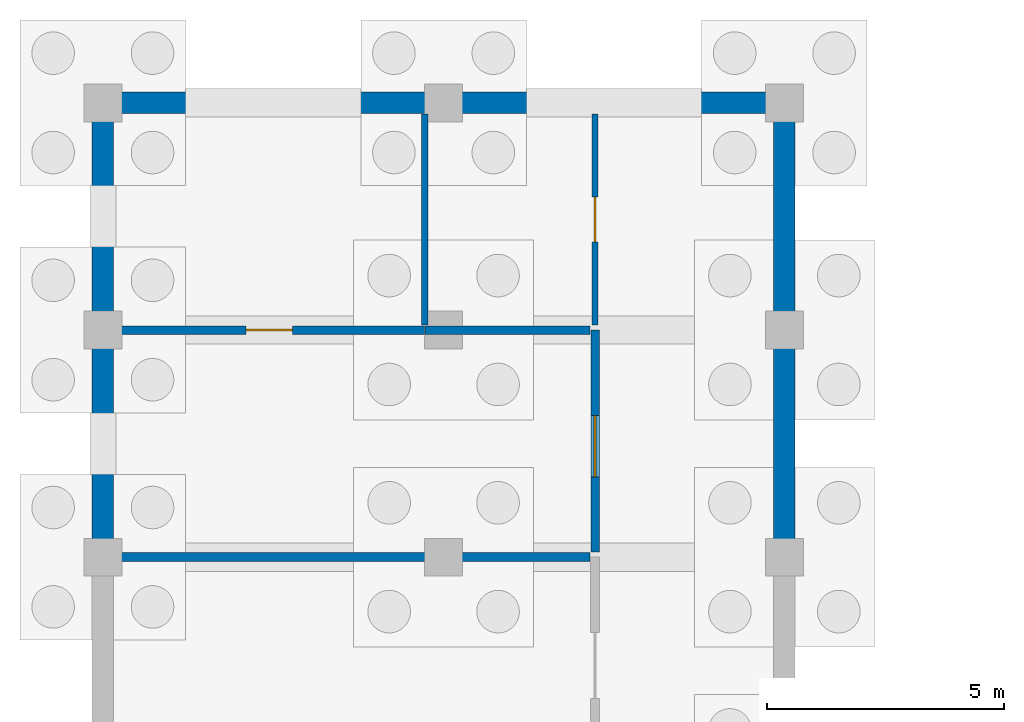
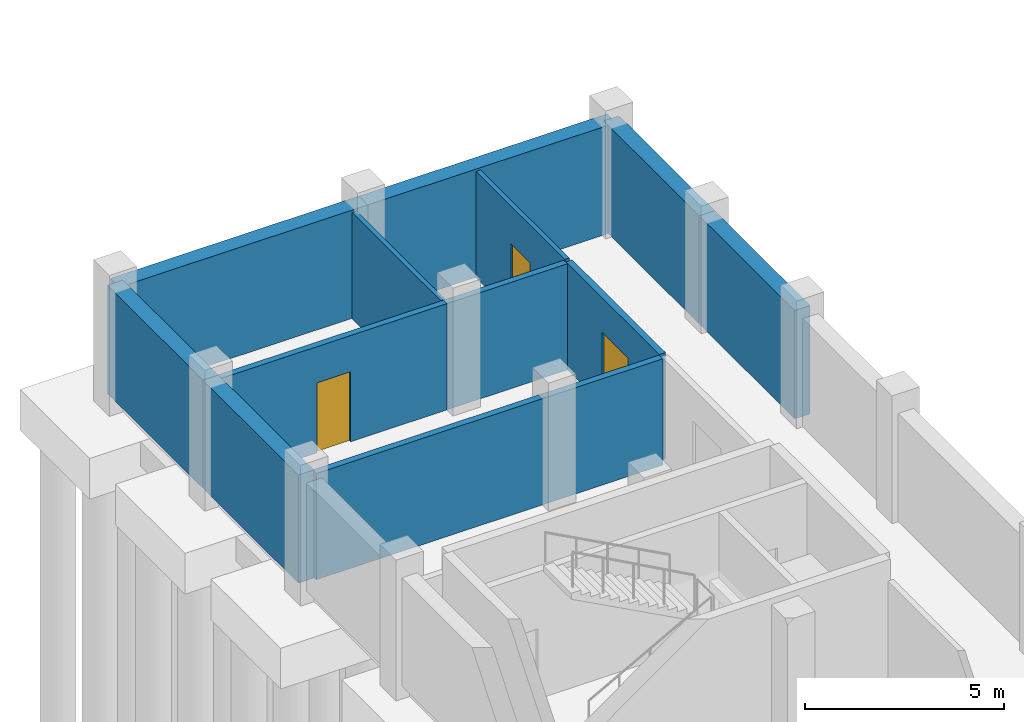
# One storey, part 6 of 10: 12 walls, 3 doors, 3 openings.
"""IFC4 building model written with IfcOpenShell, lengths in metres."""

from ifc_helpers import new_model, si_unit, direction, frame, frame_2d, origin, place, context, subcontext, project, spatial, rectangle, extrude, material, layer, layer_set, type_object, element, fill, save


model = new_model("IFC4")

# Units and contexts
model_context = context("Model", 3, precision=1e-05, world=origin(), true_north=direction((0.0, 1.0)))
body_context = subcontext(model_context, "Body", "Model", "MODEL_VIEW")
ifc_project = project(units=[si_unit("LENGTHUNIT", "METRE"), si_unit("AREAUNIT", "SQUARE_METRE"), si_unit("VOLUMEUNIT", "CUBIC_METRE"), si_unit("PLANEANGLEUNIT", "RADIAN"), si_unit("MASSUNIT", "GRAM", prefix="KILO")], contexts=[model_context])

# Site, building, storey
site_placement = place(None, origin())
site = spatial("IfcSite", under=ifc_project, at=site_placement, CompositionType="ELEMENT")
building_placement = place(site_placement, origin())
building = spatial("IfcBuilding", under=site, at=building_placement, Name="Zornivar Specialist Clinic", CompositionType="ELEMENT")
storey_placement = place(building_placement, frame((0.0, 0.0, -4.199951171875)))
storey = spatial("IfcBuildingStorey", under=building, at=storey_placement, Name="B1", CompositionType="ELEMENT", Elevation=-4.199951171875)

# Wall, opening, door
ifc_material_1 = material(Name="Fire-Compartment Shaft-Liner Partition")
ifc_layer_1 = layer(ifc_material_1, 0.179931640625)
ifc_layer_set_1 = layer_set([ifc_layer_1], Name="Fire-Compartment Shaft-Liner Partition")
wall_type_1 = type_object("IfcWallType", Name="IW-COMP-EI90-180", PredefinedType="PARTITIONING", material=ifc_layer_set_1)
wall_1_placement = place(storey_placement, frame((10.39990234375, 52.800048828125, 0.0), z_axis=(0.0, 0.0, 1.0), x_axis=(0.0, -1.0, 0.0)))
wall_1 = element("IfcWall", 1, at=wall_1_placement, inside=storey, type_object=wall_type_1, Name="iw:B1:014", PredefinedType="PARTITIONING", context=body_context, shape_type="SweptSolid", body=[
    extrude(rectangle(XDim=4.691162109375, YDim=0.179931640625, at=frame_2d((2.345703125, 0.0))), origin(), (0.0, 0.0, 1.0), 3.260009765625),
])
opening_1_placement = place(wall_1_placement, frame((1.805908203125, 0.0, 0.0)))
opening_1 = element("IfcOpeningElement", 2, at=opening_1_placement, cuts=wall_1, Name="Opening FD-05", PredefinedType="OPENING", context=body_context, shape_type="SweptSolid", body=[
    extrude(rectangle(XDim=1.300048828125, YDim=2.199951171875, at=frame_2d((0.64990234375, 1.10009765625))), frame((0.0, 0.099853515625, 0.0), z_axis=(0.0, -1.0, 0.0), x_axis=(1.0, 0.0, 0.0)), (0.0, 0.0, 1.0), 0.199951171875),
])
ifc_material_2 = material(Name="Solid-Core Hygienic Laminate Timber Door", Category="wood")
door_type_1 = type_object("IfcDoorType", Name="FD-PLANT-1300x2200", OperationType="NOTDEFINED", PredefinedType="DOOR", material=ifc_material_2)
door_1_placement = place(opening_1_placement, origin())
door_1 = element("IfcDoor", 3, at=door_1_placement, inside=storey, type_object=door_type_1, Name="door:space:V2:B1:rm:05", OperationType="SINGLE_SWING_LEFT", OverallHeight=2.199951171875, OverallWidth=1.300048828125, PredefinedType="DOOR", context=body_context, shape_type="SweptSolid", body=[
    extrude(rectangle(XDim=1.300048828125, YDim=2.199951171875, at=frame_2d((0.64990234375, 1.10009765625))), frame((0.0, 0.02490234375, 0.0), z_axis=(0.0, -1.0, 0.0), x_axis=(1.0, 0.0, 0.0)), (0.0, 0.0, 1.0), 0.050048828125),
])
fill(opening_1, door_1)

wall_2_placement = place(storey_placement, frame((0.239990234375, 52.800048828125, 0.0), z_axis=(0.0, 0.0, 1.0), x_axis=(1.0, 0.0, 0.0)))
wall_2 = element("IfcWall", 4, at=wall_2_placement, inside=storey, type_object=wall_type_1, Name="iw:B1:015", PredefinedType="PARTITIONING", context=body_context, shape_type="SweptSolid", body=[
    extrude(rectangle(XDim=6.56005859375, YDim=0.179931640625, at=frame_2d((3.280029296875, 0.0))), origin(), (0.0, 0.0, 1.0), 3.260009765625),
])
opening_2_placement = place(wall_2_placement, frame((2.7900390625, 0.0, 0.0)))
opening_2 = element("IfcOpeningElement", 5, at=opening_2_placement, cuts=wall_2, Name="Opening ID-09", PredefinedType="OPENING", context=body_context, shape_type="SweptSolid", body=[
    extrude(rectangle(XDim=0.97998046875, YDim=2.14990234375, at=frame_2d((0.489990234375, 1.074951171875))), frame((0.0, 0.099853515625, 0.0), z_axis=(0.0, -1.0, 0.0), x_axis=(1.0, 0.0, 0.0)), (0.0, 0.0, 1.0), 0.199951171875),
])
ifc_material_3 = material(Name="Solid-Core Hygienic Laminate Timber Door", Category="wood")
door_type_2 = type_object("IfcDoorType", Name="ID-STAFF-0980x2150", OperationType="NOTDEFINED", PredefinedType="DOOR", material=ifc_material_3)
door_2_placement = place(opening_2_placement, origin())
door_2 = element("IfcDoor", 6, at=door_2_placement, inside=storey, type_object=door_type_2, Name="door:space:V2:B1:rm:06b", OperationType="SINGLE_SWING_LEFT", OverallHeight=2.14990234375, OverallWidth=0.97998046875, PredefinedType="DOOR", context=body_context, shape_type="SweptSolid", body=[
    extrude(rectangle(XDim=0.97998046875, YDim=2.14990234375, at=frame_2d((0.489990234375, 1.074951171875))), frame((0.0, 0.02490234375, 0.0), z_axis=(0.0, -1.0, 0.0), x_axis=(1.0, 0.0, 0.0)), (0.0, 0.0, 1.0), 0.050048828125),
])
fill(opening_2, door_2)

# Walls
wall_3_placement = place(storey_placement, frame((6.81201171875, 52.800048828125, 0.0), z_axis=(0.0, 0.0, 1.0), x_axis=(1.0, 0.0, 0.0)))
element("IfcWall", 7, at=wall_3_placement, inside=storey, type_object=wall_type_1, Name="iw:B1:016", PredefinedType="PARTITIONING", context=body_context, shape_type="SweptSolid", body=[
    extrude(rectangle(XDim=3.48388671875, YDim=0.179931640625, at=frame_2d((1.741943359375, 0.0))), origin(), (0.0, 0.0, 1.0), 3.260009765625),
])
ifc_material_4 = material(Name="GMP Cleanroom Insulated Double Partition")
ifc_layer_2 = layer(ifc_material_4, 0.18994140625)
ifc_layer_set_2 = layer_set([ifc_layer_2], Name="GMP Cleanroom Insulated Double Partition")
wall_type_2 = type_object("IfcWallType", Name="IW-PHARM-GMP-190", PredefinedType="PARTITIONING", material=ifc_layer_set_2)
wall_4_placement = place(storey_placement, frame((0.239990234375, 48.0, 0.0), z_axis=(0.0, 0.0, 1.0), x_axis=(1.0, 0.0, 0.0)))
element("IfcWall", 8, at=wall_4_placement, inside=storey, type_object=wall_type_2, Name="iw:B1:013", PredefinedType="PARTITIONING", context=body_context, shape_type="SweptSolid", body=[
    extrude(rectangle(XDim=10.051025390625, YDim=0.18994140625, at=frame_2d((5.025390625, 0.0))), origin(), (0.0, 0.0, 1.0), 3.260009765625),
])
ifc_material_5 = material(Name="Moisture-Resistant Sanitary Partition")
ifc_layer_3 = layer(ifc_material_5, 0.1298828125)
ifc_layer_set_3 = layer_set([ifc_layer_3], Name="Moisture-Resistant Sanitary Partition")
wall_type_3 = type_object("IfcWallType", Name="IW-WET-130", PredefinedType="PARTITIONING", material=ifc_layer_set_3)
wall_5_placement = place(storey_placement, frame((6.800048828125, 52.904052734375, 0.0), z_axis=(0.0, 0.0, 1.0), x_axis=(0.0, 1.0, 0.0)))
element("IfcWall", 9, at=wall_5_placement, inside=storey, type_object=wall_type_3, Name="iw:B1:017", PredefinedType="PARTITIONING", context=body_context, shape_type="SweptSolid", body=[
    extrude(rectangle(XDim=4.4560546875, YDim=0.1298828125, at=frame_2d((2.22802734375, 0.0))), origin(), (0.0, 0.0, 1.0), 3.260009765625),
])

# Wall, opening, door
wall_6_placement = place(storey_placement, frame((10.39990234375, 57.360107421875, 0.0), z_axis=(0.0, 0.0, 1.0), x_axis=(0.0, -1.0, 0.0)))
wall_6 = element("IfcWall", 10, at=wall_6_placement, inside=storey, type_object=wall_type_3, Name="iw:B1:018", PredefinedType="PARTITIONING", context=body_context, shape_type="SweptSolid", body=[
    extrude(rectangle(XDim=4.4560546875, YDim=0.1298828125, at=frame_2d((2.22802734375, 0.0))), origin(), (0.0, 0.0, 1.0), 3.260009765625),
])
opening_3_placement = place(wall_6_placement, frame((1.7529296875, 0.0, 0.0)))
opening_3 = element("IfcOpeningElement", 11, at=opening_3_placement, cuts=wall_6, Name="Opening ID-07", PredefinedType="OPENING", context=body_context, shape_type="SweptSolid", body=[
    extrude(rectangle(XDim=0.949951171875, YDim=2.10009765625, at=frame_2d((0.47509765625, 1.050048828125))), frame((0.0, 0.074951171875, 0.0), z_axis=(0.0, -1.0, 0.0), x_axis=(1.0, 0.0, 0.0)), (0.0, 0.0, 1.0), 0.14990234375),
])
ifc_material_6 = material(Name="Solid-Core Hygienic Laminate Timber Door", Category="wood")
door_type_3 = type_object("IfcDoorType", Name="ID-WC-ACC-0950x2100", OperationType="NOTDEFINED", PredefinedType="DOOR", material=ifc_material_6)
door_3_placement = place(opening_3_placement, origin())
door_3 = element("IfcDoor", 12, at=door_3_placement, inside=storey, type_object=door_type_3, Name="door:space:V2:B1:rm:06", OperationType="SINGLE_SWING_RIGHT", OverallHeight=2.10009765625, OverallWidth=0.949951171875, PredefinedType="DOOR", context=body_context, shape_type="SweptSolid", body=[
    extrude(rectangle(XDim=0.949951171875, YDim=2.10009765625, at=frame_2d((0.47509765625, 1.050048828125))), frame((0.0, 0.02490234375, 0.0), z_axis=(0.0, -1.0, 0.0), x_axis=(1.0, 0.0, 0.0)), (0.0, 0.0, 1.0), 0.050048828125),
])
fill(opening_3, door_3)

# Walls
ifc_material_7 = material(Name="Concrete C35/45 Waterproofed Basement Retaining Wall", Category="concrete")
ifc_layer_4 = layer(ifc_material_7, 0.449951171875)
ifc_layer_set_4 = layer_set([ifc_layer_4], Name="Concrete C35/45 Waterproofed Basement Retaining Wall")
wall_type_4 = type_object("IfcWallType", Name="RW-B1-RETAIN-450", PredefinedType="ELEMENTEDWALL", material=ifc_layer_set_4)
for number, where, z_axis, x_axis, name in (
    (13, (14.39990234375, 48.0, 0.0), (0.0, 0.0, 1.0), (0.0, 1.0, 0.0), "rw:V2:B1:19"),
    (14, (14.39990234375, 52.800048828125, 0.0), (0.0, 0.0, 1.0), (0.0, 1.0, 0.0), "rw:V2:B1:20"),
):
    element("IfcWall", number, at=place(storey_placement, frame(where, z_axis=z_axis, x_axis=x_axis)), inside=storey, type_object=wall_type_4, Name=name, PredefinedType="ELEMENTEDWALL", context=body_context, shape_type="SweptSolid", body=[
        extrude(rectangle(XDim=4.800048828125, YDim=0.449951171875, at=frame_2d((2.39990234375, 0.0))), origin(), (0.0, 0.0, 1.0), 3.320068359375),
    ])
for number, where, z_axis, x_axis, name in (
    (15, (14.39990234375, 57.60009765625, 0.0), (0.0, 0.0, 1.0), (-1.0, 0.0, 0.0), "rw:V2:B1:21"),
    (16, (7.199951171875, 57.60009765625, 0.0), (0.0, 0.0, 1.0), (-1.0, 0.0, 0.0), "rw:V2:B1:22"),
):
    element("IfcWall", number, at=place(storey_placement, frame(where, z_axis=z_axis, x_axis=x_axis)), inside=storey, type_object=wall_type_4, Name=name, PredefinedType="ELEMENTEDWALL", context=body_context, shape_type="SweptSolid", body=[
        extrude(rectangle(XDim=7.199951171875, YDim=0.449951171875, at=frame_2d((3.60009765625, 0.0))), origin(), (0.0, 0.0, 1.0), 3.320068359375),
    ])
for number, where, z_axis, x_axis, name in (
    (17, (0.0, 57.60009765625, 0.0), (0.0, 0.0, 1.0), (0.0, -1.0, 0.0), "rw:V2:B1:23"),
    (18, (0.0, 52.800048828125, 0.0), (0.0, 0.0, 1.0), (0.0, -1.0, 0.0), "rw:V2:B1:24"),
):
    element("IfcWall", number, at=place(storey_placement, frame(where, z_axis=z_axis, x_axis=x_axis)), inside=storey, type_object=wall_type_4, Name=name, PredefinedType="ELEMENTEDWALL", context=body_context, shape_type="SweptSolid", body=[
        extrude(rectangle(XDim=4.800048828125, YDim=0.449951171875, at=frame_2d((2.39990234375, 0.0))), origin(), (0.0, 0.0, 1.0), 3.320068359375),
    ])

save(model, "model.ifc")
